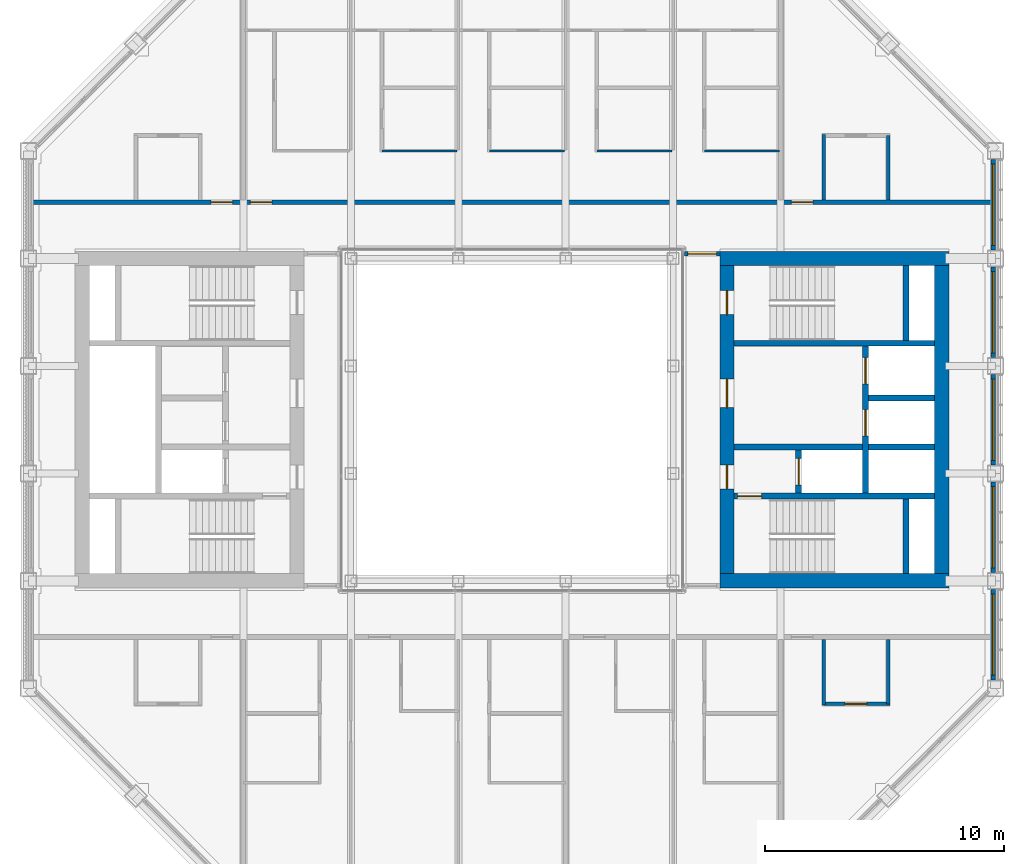
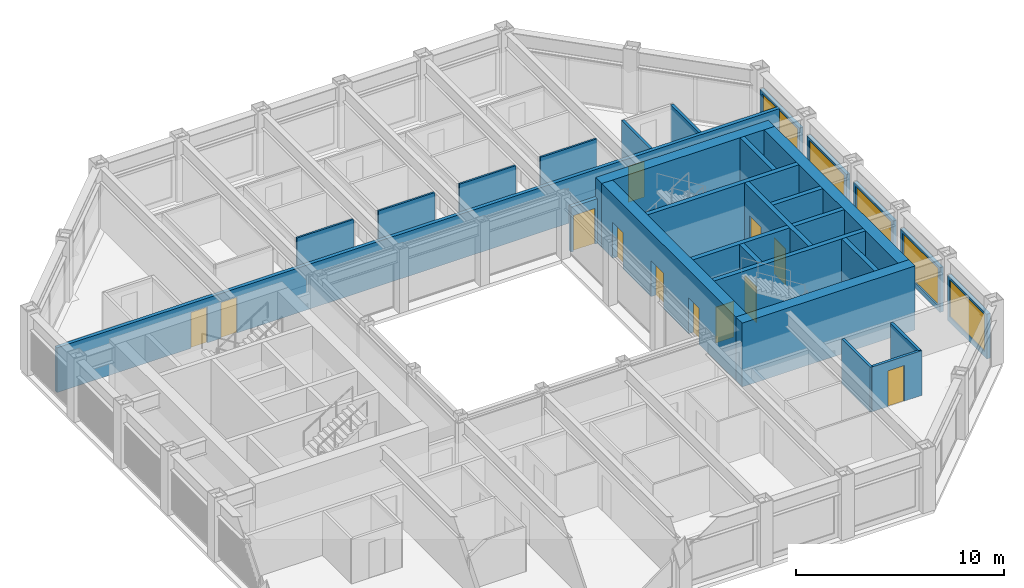
# One storey, part 11 of 18: 29 walls, 12 doors, 5 windows, 17 openings.
"""IFC4 building model written with IfcOpenShell, lengths in metres."""

from ifc_helpers import new_model, si_unit, direction, frame, frame_2d, origin, place, context, subcontext, project, spatial, rectangle, extrude, material, layer, layer_set, type_object, element, fill, save


model = new_model("IFC4")

# Units and contexts
model_context = context("Model", 3, precision=1e-05, world=origin(), true_north=direction((0.0, 1.0)))
body_context = subcontext(model_context, "Body", "Model", "MODEL_VIEW")
ifc_project = project(units=[si_unit("LENGTHUNIT", "METRE"), si_unit("AREAUNIT", "SQUARE_METRE"), si_unit("VOLUMEUNIT", "CUBIC_METRE"), si_unit("PLANEANGLEUNIT", "RADIAN"), si_unit("MASSUNIT", "GRAM", prefix="KILO")], contexts=[model_context])

# Site, building, storey
site_placement = place(None, origin())
site = spatial("IfcSite", under=ifc_project, at=site_placement, CompositionType="ELEMENT")
building_placement = place(site_placement, origin())
building = spatial("IfcBuilding", under=site, at=building_placement, Name="Msasa Ring Tower", CompositionType="ELEMENT")
storey_placement = place(building_placement, frame((0.0, 0.0, 249.550048828125)))
storey = spatial("IfcBuildingStorey", under=building, at=storey_placement, Name="L65", CompositionType="ELEMENT", Elevation=249.550048828125)

# Walls
ifc_material_1 = material(Name="Concrete C60/75", Category="concrete")
ifc_layer_1 = layer(ifc_material_1, 0.60009765625)
ifc_layer_set_1 = layer_set([ifc_layer_1], Name="CW3 CORE WALL 600")
wall_type_1 = type_object("IfcWallType", Name="CW3 CORE WALL 600", PredefinedType="SHEAR", material=ifc_layer_set_1)
for number, where, z_axis, x_axis, name in (
    (1, (8.699951171875, -6.75, 0.0), (0.0, 0.0, 1.0), (1.0, 0.0, 0.0), "E core wall S L65"),
    (2, (8.699951171875, 6.75, 0.0), (0.0, 0.0, 1.0), (1.0, 0.0, 0.0), "E core wall N L65"),
):
    element("IfcWall", number, at=place(storey_placement, frame(where, z_axis=z_axis, x_axis=x_axis)), inside=storey, type_object=wall_type_1, Name=name, PredefinedType="SHEAR", context=body_context, shape_type="SweptSolid", body=[
        extrude(rectangle(XDim=9.60009765625, YDim=0.60009765625, at=frame_2d((4.800048828125, 0.0))), origin(), (0.0, 0.0, 1.0), 3.75),
    ])

# Wall, openings, doors
wall_1_placement = place(storey_placement, frame((9.0, -6.449951171875, 0.0), z_axis=(0.0, 0.0, 1.0), x_axis=(0.0, 1.0, 0.0)))
wall_1 = element("IfcWall", 3, at=wall_1_placement, inside=storey, type_object=wall_type_1, Name="E core wall W L65", PredefinedType="SHEAR", context=body_context, shape_type="SweptSolid", body=[
    extrude(rectangle(XDim=12.89990234375, YDim=0.60009765625, at=frame_2d((6.449951171875, 0.0))), origin(), (0.0, 0.0, 1.0), 3.75),
])
opening_1_placement = place(wall_1_placement, frame((3.550048828125, 0.0, 0.0)))
opening_1 = element("IfcOpeningElement", 4, at=opening_1_placement, cuts=wall_1, Name="Opening SE-029", PredefinedType="OPENING", context=body_context, shape_type="SweptSolid", body=[
    extrude(rectangle(XDim=1.0, YDim=2.10009765625, at=frame_2d((0.5, 1.050048828125))), frame((0.0, 0.31005859375, 0.0), z_axis=(0.0, -1.0, 0.0), x_axis=(1.0, 0.0, 0.0)), (0.0, 0.0, 1.0), 0.6201171875),
])
opening_2_placement = place(wall_1_placement, frame((6.949951171875, 0.0, 0.0)))
opening_2 = element("IfcOpeningElement", 5, at=opening_2_placement, cuts=wall_1, Name="Opening SE-026", PredefinedType="OPENING", context=body_context, shape_type="SweptSolid", body=[
    extrude(rectangle(XDim=1.199951171875, YDim=2.10009765625, at=frame_2d((0.60009765625, 1.050048828125))), frame((0.0, 0.31005859375, 0.0), z_axis=(0.0, -1.0, 0.0), x_axis=(1.0, 0.0, 0.0)), (0.0, 0.0, 1.0), 0.6201171875),
])
opening_3_placement = place(wall_1_placement, frame((10.85009765625, 0.0, 0.0)))
opening_3 = element("IfcOpeningElement", 6, at=opening_3_placement, cuts=wall_1, Name="Opening SE-023", PredefinedType="OPENING", context=body_context, shape_type="SweptSolid", body=[
    extrude(rectangle(XDim=1.0, YDim=2.10009765625, at=frame_2d((0.5, 1.050048828125))), frame((0.0, 0.31005859375, 0.0), z_axis=(0.0, -1.0, 0.0), x_axis=(1.0, 0.0, 0.0)), (0.0, 0.0, 1.0), 0.6201171875),
])
ifc_material_2 = material(Name="Timber door leaf in a steel frame", Category="steel")
door_type_1 = type_object("IfcDoorType", Name="D4 LOBBY DOOR 1000x2100", OperationType="SINGLE_SWING_LEFT", PredefinedType="DOOR", material=ifc_material_2)
door_1_placement = place(opening_1_placement, origin())
door_1 = element("IfcDoor", 7, at=door_1_placement, inside=storey, type_object=door_type_1, Name="Door L65-EFFL", OperationType="SINGLE_SWING_LEFT", OverallHeight=2.10009765625, OverallWidth=1.0, PredefinedType="DOOR", context=body_context, shape_type="SweptSolid", body=[
    extrude(rectangle(XDim=1.0, YDim=2.10009765625, at=frame_2d((0.5, 1.050048828125))), frame((0.0, 0.02490234375, 0.0), z_axis=(0.0, -1.0, 0.0), x_axis=(1.0, 0.0, 0.0)), (0.0, 0.0, 1.0), 0.050048828125),
])
fill(opening_1, door_1)
ifc_material_3 = material(Name="Timber door leaf in a steel frame", Category="steel")
door_type_2 = type_object("IfcDoorType", Name="D5 WIDE LOBBY DOOR 1200x2100", OperationType="SINGLE_SWING_LEFT", PredefinedType="DOOR", material=ifc_material_3)
door_2_placement = place(opening_2_placement, origin())
door_2 = element("IfcDoor", 8, at=door_2_placement, inside=storey, type_object=door_type_2, Name="Door L65-ELL", OperationType="SINGLE_SWING_RIGHT", OverallHeight=2.10009765625, OverallWidth=1.199951171875, PredefinedType="DOOR", context=body_context, shape_type="SweptSolid", body=[
    extrude(rectangle(XDim=1.199951171875, YDim=2.10009765625, at=frame_2d((0.60009765625, 1.050048828125))), frame((0.0, 0.02490234375, 0.0), z_axis=(0.0, -1.0, 0.0), x_axis=(1.0, 0.0, 0.0)), (0.0, 0.0, 1.0), 0.050048828125),
])
fill(opening_2, door_2)
ifc_material_4 = material(Name="Timber door leaf in a steel frame", Category="steel")
door_type_3 = type_object("IfcDoorType", Name="D6 STAIR DOOR 1000x2100", OperationType="SINGLE_SWING_LEFT", PredefinedType="DOOR", material=ifc_material_4)
door_3_placement = place(opening_3_placement, origin())
door_3 = element("IfcDoor", 9, at=door_3_placement, inside=storey, type_object=door_type_3, Name="Door L65-ESTB", OperationType="SINGLE_SWING_RIGHT", OverallHeight=2.10009765625, OverallWidth=1.0, PredefinedType="DOOR", context=body_context, shape_type="SweptSolid", body=[
    extrude(rectangle(XDim=1.0, YDim=2.10009765625, at=frame_2d((0.5, 1.050048828125))), frame((0.0, 0.02490234375, 0.0), z_axis=(0.0, -1.0, 0.0), x_axis=(1.0, 0.0, 0.0)), (0.0, 0.0, 1.0), 0.050048828125),
])
fill(opening_3, door_3)

# Wall
wall_2_placement = place(storey_placement, frame((18.0, -6.449951171875, 0.0), z_axis=(0.0, 0.0, 1.0), x_axis=(0.0, 1.0, 0.0)))
element("IfcWall", 10, at=wall_2_placement, inside=storey, type_object=wall_type_1, Name="E core wall E L65", PredefinedType="SHEAR", context=body_context, shape_type="SweptSolid", body=[
    extrude(rectangle(XDim=12.89990234375, YDim=0.60009765625, at=frame_2d((6.449951171875, 0.0))), origin(), (0.0, 0.0, 1.0), 3.75),
])

# Wall, opening, door
ifc_material_5 = material(Name="Concrete C60/75", Category="concrete")
ifc_layer_2 = layer(ifc_material_5, 0.25)
ifc_layer_set_2 = layer_set([ifc_layer_2], Name="CW4 CORE INNER WALL 250")
wall_type_2 = type_object("IfcWallType", Name="CW4 CORE INNER WALL 250", PredefinedType="SHEAR", material=ifc_layer_set_2)
wall_3_placement = place(storey_placement, frame((9.300048828125, -3.199951171875, 0.0), z_axis=(0.0, 0.0, 1.0), x_axis=(1.0, 0.0, 0.0)))
wall_3 = element("IfcWall", 11, at=wall_3_placement, inside=storey, type_object=wall_type_2, Name="E core wall STAIRA L65", PredefinedType="SHEAR", context=body_context, shape_type="SweptSolid", body=[
    extrude(rectangle(XDim=8.39990234375, YDim=0.25, at=frame_2d((4.199951171875, 0.0))), origin(), (0.0, 0.0, 1.0), 3.75),
])
opening_4_placement = place(wall_3_placement, frame((0.14990234375, 0.0, 0.0)))
opening_4 = element("IfcOpeningElement", 12, at=opening_4_placement, cuts=wall_3, Name="Opening SE-031", PredefinedType="OPENING", context=body_context, shape_type="SweptSolid", body=[
    extrude(rectangle(XDim=1.0, YDim=2.10009765625, at=frame_2d((0.5, 1.050048828125))), frame((0.0, 0.135009765625, 0.0), z_axis=(0.0, -1.0, 0.0), x_axis=(1.0, 0.0, 0.0)), (0.0, 0.0, 1.0), 0.27001953125),
])
door_4_placement = place(opening_4_placement, origin())
door_4 = element("IfcDoor", 13, at=door_4_placement, inside=storey, type_object=door_type_3, Name="Door L65-ESTA", OperationType="SINGLE_SWING_LEFT", OverallHeight=2.10009765625, OverallWidth=1.0, PredefinedType="DOOR", context=body_context, shape_type="SweptSolid", body=[
    extrude(rectangle(XDim=1.0, YDim=2.10009765625, at=frame_2d((0.5, 1.050048828125))), frame((0.0, 0.02490234375, 0.0), z_axis=(0.0, -1.0, 0.0), x_axis=(1.0, 0.0, 0.0)), (0.0, 0.0, 1.0), 0.050048828125),
])
fill(opening_4, door_4)

# Walls
wall_4_placement = place(storey_placement, frame((9.300048828125, 3.199951171875, 0.0), z_axis=(0.0, 0.0, 1.0), x_axis=(1.0, 0.0, 0.0)))
element("IfcWall", 14, at=wall_4_placement, inside=storey, type_object=wall_type_2, Name="E core wall STAIRB L65", PredefinedType="SHEAR", context=body_context, shape_type="SweptSolid", body=[
    extrude(rectangle(XDim=8.39990234375, YDim=0.25, at=frame_2d((4.199951171875, 0.0))), origin(), (0.0, 0.0, 1.0), 3.75),
])
for number, where, z_axis, x_axis, name in (
    (15, (16.5, -6.449951171875, 0.0), (0.0, 0.0, 1.0), (0.0, 1.0, 0.0), "E core wall RISERA L65"),
    (16, (16.5, 3.324951171875, 0.0), (0.0, 0.0, 1.0), (0.0, 1.0, 0.0), "E core wall RISERB L65"),
):
    element("IfcWall", number, at=place(storey_placement, frame(where, z_axis=z_axis, x_axis=x_axis)), inside=storey, type_object=wall_type_2, Name=name, PredefinedType="SHEAR", context=body_context, shape_type="SweptSolid", body=[
        extrude(rectangle(XDim=3.125, YDim=0.25, at=frame_2d((1.5625, 0.0))), origin(), (0.0, 0.0, 1.0), 3.75),
    ])
wall_5_placement = place(storey_placement, frame((9.300048828125, -1.14990234375, 0.0), z_axis=(0.0, 0.0, 1.0), x_axis=(1.0, 0.0, 0.0)))
element("IfcWall", 17, at=wall_5_placement, inside=storey, type_object=wall_type_2, Name="E core wall FFL L65", PredefinedType="SHEAR", context=body_context, shape_type="SweptSolid", body=[
    extrude(rectangle(XDim=5.375, YDim=0.25, at=frame_2d((2.6875, 0.0))), origin(), (0.0, 0.0, 1.0), 3.75),
])

# Wall, opening, door
wall_6_placement = place(storey_placement, frame((12.0, -3.074951171875, 0.0), z_axis=(0.0, 0.0, 1.0), x_axis=(0.0, 1.0, 0.0)))
wall_6 = element("IfcWall", 18, at=wall_6_placement, inside=storey, type_object=wall_type_2, Name="E core wall LOBBY L65", PredefinedType="SHEAR", context=body_context, shape_type="SweptSolid", body=[
    extrude(rectangle(XDim=1.800048828125, YDim=0.25, at=frame_2d((0.89990234375, 0.0))), origin(), (0.0, 0.0, 1.0), 3.75),
])
opening_5_placement = place(wall_6_placement, frame((0.35009765625, 0.0, 0.0)))
opening_5 = element("IfcOpeningElement", 19, at=opening_5_placement, cuts=wall_6, Name="Opening LD1", PredefinedType="OPENING", context=body_context, shape_type="SweptSolid", body=[
    extrude(rectangle(XDim=1.10009765625, YDim=2.10009765625, at=frame_2d((0.550048828125, 1.050048828125))), frame((0.0, 0.135009765625, 0.0), z_axis=(0.0, -1.0, 0.0), x_axis=(1.0, 0.0, 0.0)), (0.0, 0.0, 1.0), 0.27001953125),
])
ifc_material_6 = material(Name="Stainless steel lift landing door", Category="steel")
door_type_4 = type_object("IfcDoorType", Name="LD1 LIFT LANDING DOOR 1100x2100", OperationType="DOUBLE_DOOR_SLIDING", PredefinedType="DOOR", material=ifc_material_6)
door_5_placement = place(opening_5_placement, origin())
door_5 = element("IfcDoor", 20, at=door_5_placement, inside=storey, type_object=door_type_4, Name="Lift landing door FL-E L65", OperationType="DOUBLE_DOOR_SLIDING", OverallHeight=2.10009765625, OverallWidth=1.10009765625, PredefinedType="DOOR", context=body_context, shape_type="SweptSolid", body=[
    extrude(rectangle(XDim=1.10009765625, YDim=2.10009765625, at=frame_2d((0.550048828125, 1.050048828125))), frame((0.0, 0.02490234375, 0.0), z_axis=(0.0, -1.0, 0.0), x_axis=(1.0, 0.0, 0.0)), (0.0, 0.0, 1.0), 0.050048828125),
])
fill(opening_5, door_5)

# Wall, openings, doors
wall_7_placement = place(storey_placement, frame((14.800048828125, -3.074951171875, 0.0), z_axis=(0.0, 0.0, 1.0), x_axis=(0.0, 1.0, 0.0)))
wall_7 = element("IfcWall", 21, at=wall_7_placement, inside=storey, type_object=wall_type_2, Name="E core wall SHAFT L65", PredefinedType="SHEAR", context=body_context, shape_type="SweptSolid", body=[
    extrude(rectangle(XDim=6.14990234375, YDim=0.25, at=frame_2d((3.074951171875, 0.0))), origin(), (0.0, 0.0, 1.0), 3.75),
])
opening_6_placement = place(wall_7_placement, frame((2.39990234375, 0.0, 0.0)))
opening_6 = element("IfcOpeningElement", 22, at=opening_6_placement, cuts=wall_7, Name="Opening LD1", PredefinedType="OPENING", context=body_context, shape_type="SweptSolid", body=[
    extrude(rectangle(XDim=1.10009765625, YDim=2.10009765625, at=frame_2d((0.550048828125, 1.050048828125))), frame((0.0, 0.135009765625, 0.0), z_axis=(0.0, -1.0, 0.0), x_axis=(1.0, 0.0, 0.0)), (0.0, 0.0, 1.0), 0.27001953125),
])
opening_7_placement = place(wall_7_placement, frame((4.574951171875, 0.0, 0.0)))
opening_7 = element("IfcOpeningElement", 23, at=opening_7_placement, cuts=wall_7, Name="Opening LD1", PredefinedType="OPENING", context=body_context, shape_type="SweptSolid", body=[
    extrude(rectangle(XDim=1.10009765625, YDim=2.10009765625, at=frame_2d((0.550048828125, 1.050048828125))), frame((0.0, 0.135009765625, 0.0), z_axis=(0.0, -1.0, 0.0), x_axis=(1.0, 0.0, 0.0)), (0.0, 0.0, 1.0), 0.27001953125),
])
door_6_placement = place(opening_6_placement, origin())
door_6 = element("IfcDoor", 24, at=door_6_placement, inside=storey, type_object=door_type_4, Name="Lift landing door PL-H1 L65", OperationType="DOUBLE_DOOR_SLIDING", OverallHeight=2.10009765625, OverallWidth=1.10009765625, PredefinedType="DOOR", context=body_context, shape_type="SweptSolid", body=[
    extrude(rectangle(XDim=1.10009765625, YDim=2.10009765625, at=frame_2d((0.550048828125, 1.050048828125))), frame((0.0, 0.02490234375, 0.0), z_axis=(0.0, -1.0, 0.0), x_axis=(1.0, 0.0, 0.0)), (0.0, 0.0, 1.0), 0.050048828125),
])
fill(opening_6, door_6)
door_7_placement = place(opening_7_placement, origin())
door_7 = element("IfcDoor", 25, at=door_7_placement, inside=storey, type_object=door_type_4, Name="Lift landing door PL-H2 L65", OperationType="DOUBLE_DOOR_SLIDING", OverallHeight=2.10009765625, OverallWidth=1.10009765625, PredefinedType="DOOR", context=body_context, shape_type="SweptSolid", body=[
    extrude(rectangle(XDim=1.10009765625, YDim=2.10009765625, at=frame_2d((0.550048828125, 1.050048828125))), frame((0.0, 0.02490234375, 0.0), z_axis=(0.0, -1.0, 0.0), x_axis=(1.0, 0.0, 0.0)), (0.0, 0.0, 1.0), 0.050048828125),
])
fill(opening_7, door_7)

# Walls
for number, where, z_axis, x_axis, name in (
    (26, (14.925048828125, -1.14990234375, 0.0), (0.0, 0.0, 1.0), (1.0, 0.0, 0.0), "E core wall HSEP L65"),
    (27, (14.925048828125, 0.89990234375, 0.0), (0.0, 0.0, 1.0), (1.0, 0.0, 0.0), "E core wall HLIFT L65"),
):
    element("IfcWall", number, at=place(storey_placement, frame(where, z_axis=z_axis, x_axis=x_axis)), inside=storey, type_object=wall_type_2, Name=name, PredefinedType="SHEAR", context=body_context, shape_type="SweptSolid", body=[
        extrude(rectangle(XDim=2.77490234375, YDim=0.25, at=frame_2d((1.387451171875, 0.0))), origin(), (0.0, 0.0, 1.0), 3.75),
    ])

# Wall, opening, window
ifc_material_7 = material(Name="Terracotta rainscreen on blockwork", Category="masonry")
ifc_layer_3 = layer(ifc_material_7, 0.199951171875)
ifc_layer_set_3 = layer_set([ifc_layer_3], Name="FW1 TERRACOTTA-LINED INFILL BAY WALL 200")
wall_type_3 = type_object("IfcWallType", Name="FW1 TERRACOTTA-LINED INFILL BAY WALL 200", PredefinedType="SOLIDWALL", material=ifc_layer_set_3)
wall_8_placement = place(storey_placement, frame((20.14990234375, -10.89501953125, 0.0), z_axis=(0.0, 0.0, 1.0), x_axis=(0.0, 1.0, 0.0)))
wall_8 = element("IfcWall", 28, at=wall_8_placement, inside=storey, type_object=wall_type_3, Name="Infill bay wall E L65 07", PredefinedType="SOLIDWALL", context=body_context, shape_type="SweptSolid", body=[
    extrude(rectangle(XDim=3.7900390625, YDim=0.199951171875, at=frame_2d((1.89501953125, 0.0))), origin(), (0.0, 0.0, 1.0), 2.62890625),
])
opening_8_placement = place(wall_8_placement, frame((0.195068359375, 0.0, 0.300048828125)))
opening_8 = element("IfcOpeningElement", 29, at=opening_8_placement, cuts=wall_8, Name="Opening WN3", PredefinedType="OPENING", context=body_context, shape_type="SweptSolid", body=[
    extrude(rectangle(XDim=3.39990234375, YDim=2.178955078125, at=frame_2d((1.699951171875, 1.08935546875))), frame((0.0, 0.10986328125, 0.0), z_axis=(0.0, -1.0, 0.0), x_axis=(1.0, 0.0, 0.0)), (0.0, 0.0, 1.0), 0.219970703125),
])
ifc_material_8 = material(Name="Aluminium frame with clear glass", Category="aluminium")
window_type = type_object("IfcWindowType", Name="WN3 SUITE WINDOW 3400x2179", PartitioningType="SINGLE_PANEL", PredefinedType="WINDOW", material=ifc_material_8)
window_1_placement = place(opening_8_placement, origin())
window_1 = element("IfcWindow", 30, at=window_1_placement, inside=storey, type_object=window_type, Name="Window E L65 07", OverallHeight=2.178955078125, OverallWidth=3.39990234375, PartitioningType="SINGLE_PANEL", PredefinedType="WINDOW", context=body_context, shape_type="SweptSolid", body=[
    extrude(rectangle(XDim=3.39990234375, YDim=2.178955078125, at=frame_2d((1.699951171875, 1.08935546875))), frame((0.0, 0.030029296875, 0.0), z_axis=(0.0, -1.0, 0.0), x_axis=(1.0, 0.0, 0.0)), (0.0, 0.0, 1.0), 0.06005859375),
])
fill(opening_8, window_1)

wall_9_placement = place(storey_placement, frame((20.14990234375, -6.39501953125, 0.0), z_axis=(0.0, 0.0, 1.0), x_axis=(0.0, 1.0, 0.0)))
wall_9 = element("IfcWall", 31, at=wall_9_placement, inside=storey, type_object=wall_type_3, Name="Infill bay wall E L65 08", PredefinedType="SOLIDWALL", context=body_context, shape_type="SweptSolid", body=[
    extrude(rectangle(XDim=3.7900390625, YDim=0.199951171875, at=frame_2d((1.89501953125, 0.0))), origin(), (0.0, 0.0, 1.0), 2.62890625),
])
opening_9_placement = place(wall_9_placement, frame((0.195068359375, 0.0, 0.300048828125)))
opening_9 = element("IfcOpeningElement", 32, at=opening_9_placement, cuts=wall_9, Name="Opening WN3", PredefinedType="OPENING", context=body_context, shape_type="SweptSolid", body=[
    extrude(rectangle(XDim=3.39990234375, YDim=2.178955078125, at=frame_2d((1.699951171875, 1.08935546875))), frame((0.0, 0.10986328125, 0.0), z_axis=(0.0, -1.0, 0.0), x_axis=(1.0, 0.0, 0.0)), (0.0, 0.0, 1.0), 0.219970703125),
])
window_2_placement = place(opening_9_placement, origin())
window_2 = element("IfcWindow", 33, at=window_2_placement, inside=storey, type_object=window_type, Name="Window E L65 08", OverallHeight=2.178955078125, OverallWidth=3.39990234375, PartitioningType="SINGLE_PANEL", PredefinedType="WINDOW", context=body_context, shape_type="SweptSolid", body=[
    extrude(rectangle(XDim=3.39990234375, YDim=2.178955078125, at=frame_2d((1.699951171875, 1.08935546875))), frame((0.0, 0.030029296875, 0.0), z_axis=(0.0, -1.0, 0.0), x_axis=(1.0, 0.0, 0.0)), (0.0, 0.0, 1.0), 0.06005859375),
])
fill(opening_9, window_2)

wall_10_placement = place(storey_placement, frame((20.14990234375, -1.89501953125, 0.0), z_axis=(0.0, 0.0, 1.0), x_axis=(0.0, 1.0, 0.0)))
wall_10 = element("IfcWall", 34, at=wall_10_placement, inside=storey, type_object=wall_type_3, Name="Infill bay wall E L65 09", PredefinedType="SOLIDWALL", context=body_context, shape_type="SweptSolid", body=[
    extrude(rectangle(XDim=3.7900390625, YDim=0.199951171875, at=frame_2d((1.89501953125, 0.0))), origin(), (0.0, 0.0, 1.0), 2.62890625),
])
opening_10_placement = place(wall_10_placement, frame((0.195068359375, 0.0, 0.300048828125)))
opening_10 = element("IfcOpeningElement", 35, at=opening_10_placement, cuts=wall_10, Name="Opening WN3", PredefinedType="OPENING", context=body_context, shape_type="SweptSolid", body=[
    extrude(rectangle(XDim=3.39990234375, YDim=2.178955078125, at=frame_2d((1.699951171875, 1.08935546875))), frame((0.0, 0.10986328125, 0.0), z_axis=(0.0, -1.0, 0.0), x_axis=(1.0, 0.0, 0.0)), (0.0, 0.0, 1.0), 0.219970703125),
])
window_3_placement = place(opening_10_placement, origin())
window_3 = element("IfcWindow", 36, at=window_3_placement, inside=storey, type_object=window_type, Name="Window E L65 09", OverallHeight=2.178955078125, OverallWidth=3.39990234375, PartitioningType="SINGLE_PANEL", PredefinedType="WINDOW", context=body_context, shape_type="SweptSolid", body=[
    extrude(rectangle(XDim=3.39990234375, YDim=2.178955078125, at=frame_2d((1.699951171875, 1.08935546875))), frame((0.0, 0.030029296875, 0.0), z_axis=(0.0, -1.0, 0.0), x_axis=(1.0, 0.0, 0.0)), (0.0, 0.0, 1.0), 0.06005859375),
])
fill(opening_10, window_3)

wall_11_placement = place(storey_placement, frame((20.14990234375, 2.60498046875, 0.0), z_axis=(0.0, 0.0, 1.0), x_axis=(0.0, 1.0, 0.0)))
wall_11 = element("IfcWall", 37, at=wall_11_placement, inside=storey, type_object=wall_type_3, Name="Infill bay wall E L65 10", PredefinedType="SOLIDWALL", context=body_context, shape_type="SweptSolid", body=[
    extrude(rectangle(XDim=3.7900390625, YDim=0.199951171875, at=frame_2d((1.89501953125, 0.0))), origin(), (0.0, 0.0, 1.0), 2.62890625),
])
opening_11_placement = place(wall_11_placement, frame((0.195068359375, 0.0, 0.300048828125)))
opening_11 = element("IfcOpeningElement", 38, at=opening_11_placement, cuts=wall_11, Name="Opening WN3", PredefinedType="OPENING", context=body_context, shape_type="SweptSolid", body=[
    extrude(rectangle(XDim=3.39990234375, YDim=2.178955078125, at=frame_2d((1.699951171875, 1.08935546875))), frame((0.0, 0.10986328125, 0.0), z_axis=(0.0, -1.0, 0.0), x_axis=(1.0, 0.0, 0.0)), (0.0, 0.0, 1.0), 0.219970703125),
])
window_4_placement = place(opening_11_placement, origin())
window_4 = element("IfcWindow", 39, at=window_4_placement, inside=storey, type_object=window_type, Name="Window E L65 10", OverallHeight=2.178955078125, OverallWidth=3.39990234375, PartitioningType="SINGLE_PANEL", PredefinedType="WINDOW", context=body_context, shape_type="SweptSolid", body=[
    extrude(rectangle(XDim=3.39990234375, YDim=2.178955078125, at=frame_2d((1.699951171875, 1.08935546875))), frame((0.0, 0.030029296875, 0.0), z_axis=(0.0, -1.0, 0.0), x_axis=(1.0, 0.0, 0.0)), (0.0, 0.0, 1.0), 0.06005859375),
])
fill(opening_11, window_4)

wall_12_placement = place(storey_placement, frame((20.14990234375, 7.10498046875, 0.0), z_axis=(0.0, 0.0, 1.0), x_axis=(0.0, 1.0, 0.0)))
wall_12 = element("IfcWall", 40, at=wall_12_placement, inside=storey, type_object=wall_type_3, Name="Infill bay wall E L65 11", PredefinedType="SOLIDWALL", context=body_context, shape_type="SweptSolid", body=[
    extrude(rectangle(XDim=3.7900390625, YDim=0.199951171875, at=frame_2d((1.89501953125, 0.0))), origin(), (0.0, 0.0, 1.0), 2.62890625),
])
opening_12_placement = place(wall_12_placement, frame((0.195068359375, 0.0, 0.300048828125)))
opening_12 = element("IfcOpeningElement", 41, at=opening_12_placement, cuts=wall_12, Name="Opening WN3", PredefinedType="OPENING", context=body_context, shape_type="SweptSolid", body=[
    extrude(rectangle(XDim=3.39990234375, YDim=2.178955078125, at=frame_2d((1.699951171875, 1.08935546875))), frame((0.0, 0.10986328125, 0.0), z_axis=(0.0, -1.0, 0.0), x_axis=(1.0, 0.0, 0.0)), (0.0, 0.0, 1.0), 0.219970703125),
])
window_5_placement = place(opening_12_placement, origin())
window_5 = element("IfcWindow", 42, at=window_5_placement, inside=storey, type_object=window_type, Name="Window E L65 11", OverallHeight=2.178955078125, OverallWidth=3.39990234375, PartitioningType="SINGLE_PANEL", PredefinedType="WINDOW", context=body_context, shape_type="SweptSolid", body=[
    extrude(rectangle(XDim=3.39990234375, YDim=2.178955078125, at=frame_2d((1.699951171875, 1.08935546875))), frame((0.0, 0.030029296875, 0.0), z_axis=(0.0, -1.0, 0.0), x_axis=(1.0, 0.0, 0.0)), (0.0, 0.0, 1.0), 0.06005859375),
])
fill(opening_12, window_5)

# Wall, opening, door
ifc_material_9 = material(Name="Concrete blockwork", Category="masonry")
ifc_layer_4 = layer(ifc_material_9, 0.199951171875)
ifc_layer_set_4 = layer_set([ifc_layer_4], Name="PT1 CORRIDOR WALL 200")
wall_type_4 = type_object("IfcWallType", Name="PT1 CORRIDOR WALL 200", PredefinedType="PARTITIONING", material=ifc_layer_set_4)
wall_13_placement = place(storey_placement, frame((7.22998046875, 6.949951171875, 0.0), z_axis=(0.0, 0.0, 1.0), x_axis=(1.0, 0.0, 0.0)))
wall_13 = element("IfcWall", 43, at=wall_13_placement, inside=storey, type_object=wall_type_4, Name="Corridor wall L65-SDEN", PredefinedType="PARTITIONING", context=body_context, shape_type="SweptSolid", body=[
    extrude(rectangle(XDim=1.469970703125, YDim=0.199951171875, at=frame_2d((0.73486328125, 0.0))), origin(), (0.0, 0.0, 1.0), 2.62890625),
])
opening_13_placement = place(wall_13_placement, frame((0.135009765625, 0.0, 0.0)))
opening_13 = element("IfcOpeningElement", 44, at=opening_13_placement, cuts=wall_13, Name="Opening SE-021", PredefinedType="OPENING", context=body_context, shape_type="SweptSolid", body=[
    extrude(rectangle(XDim=1.199951171875, YDim=2.10009765625, at=frame_2d((0.60009765625, 1.050048828125))), frame((0.0, 0.10986328125, 0.0), z_axis=(0.0, -1.0, 0.0), x_axis=(1.0, 0.0, 0.0)), (0.0, 0.0, 1.0), 0.219970703125),
])
ifc_material_10 = material(Name="Timber door leaf in a steel frame", Category="steel")
door_type_5 = type_object("IfcDoorType", Name="D25 CORRIDOR PAIR OF SMOKE DOORS 1200x2100", OperationType="DOUBLE_DOOR_DOUBLE_SWING", PredefinedType="DOOR", material=ifc_material_10)
door_8_placement = place(opening_13_placement, origin())
door_8 = element("IfcDoor", 45, at=door_8_placement, inside=storey, type_object=door_type_5, Name="Door L65-SDEN", OperationType="DOUBLE_DOOR_DOUBLE_SWING", OverallHeight=2.10009765625, OverallWidth=1.199951171875, PredefinedType="DOOR", context=body_context, shape_type="SweptSolid", body=[
    extrude(rectangle(XDim=1.199951171875, YDim=2.10009765625, at=frame_2d((0.60009765625, 1.050048828125))), frame((0.0, 0.02490234375, 0.0), z_axis=(0.0, -1.0, 0.0), x_axis=(1.0, 0.0, 0.0)), (0.0, 0.0, 1.0), 0.050048828125),
])
fill(opening_13, door_8)

# Wall, openings, doors
wall_14_placement = place(storey_placement, frame((-20.050048828125, 9.10009765625, 0.0), z_axis=(0.0, 0.0, 1.0), x_axis=(1.0, 0.0, 0.0)))
wall_14 = element("IfcWall", 46, at=wall_14_placement, inside=storey, type_object=wall_type_4, Name="Corridor wall L65-CORRN0", PredefinedType="PARTITIONING", context=body_context, shape_type="SweptSolid", body=[
    extrude(rectangle(XDim=40.10009765625, YDim=0.199951171875, at=frame_2d((20.050048828125, 0.0))), origin(), (0.0, 0.0, 1.0), 2.62890625),
])
opening_14_placement = place(wall_14_placement, frame((9.10009765625, 0.0, 0.0)))
opening_14 = element("IfcOpeningElement", 47, at=opening_14_placement, cuts=wall_14, Name="Opening SE-018", PredefinedType="OPENING", context=body_context, shape_type="SweptSolid", body=[
    extrude(rectangle(XDim=0.89990234375, YDim=2.10009765625, at=frame_2d((0.449951171875, 1.050048828125))), frame((0.0, 0.10986328125, 0.0), z_axis=(0.0, -1.0, 0.0), x_axis=(1.0, 0.0, 0.0)), (0.0, 0.0, 1.0), 0.219970703125),
])
opening_15_placement = place(wall_14_placement, frame((31.75, 0.0, 0.0)))
opening_15 = element("IfcOpeningElement", 48, at=opening_15_placement, cuts=wall_14, Name="Opening SE-019", PredefinedType="OPENING", context=body_context, shape_type="SweptSolid", body=[
    extrude(rectangle(XDim=0.89990234375, YDim=2.10009765625, at=frame_2d((0.449951171875, 1.050048828125))), frame((0.0, 0.10986328125, 0.0), z_axis=(0.0, -1.0, 0.0), x_axis=(1.0, 0.0, 0.0)), (0.0, 0.0, 1.0), 0.219970703125),
])
opening_16_placement = place(wall_14_placement, frame((7.449951171875, 0.0, 0.0)))
opening_16 = element("IfcOpeningElement", 49, at=opening_16_placement, cuts=wall_14, Name="Opening SE-017", PredefinedType="OPENING", context=body_context, shape_type="SweptSolid", body=[
    extrude(rectangle(XDim=0.89990234375, YDim=2.10009765625, at=frame_2d((0.449951171875, 1.050048828125))), frame((0.0, 0.10986328125, 0.0), z_axis=(0.0, -1.0, 0.0), x_axis=(1.0, 0.0, 0.0)), (0.0, 0.0, 1.0), 0.219970703125),
])
ifc_material_11 = material(Name="Timber door leaf in a steel frame", Category="steel")
door_type_6 = type_object("IfcDoorType", Name="D2 ENTRANCE DOOR 900x2100", OperationType="SINGLE_SWING_LEFT", PredefinedType="DOOR", material=ifc_material_11)
door_9_placement = place(opening_14_placement, origin())
door_9 = element("IfcDoor", 50, at=door_9_placement, inside=storey, type_object=door_type_6, Name="Door L65-JN00", OperationType="SINGLE_SWING_LEFT", OverallHeight=2.10009765625, OverallWidth=0.89990234375, PredefinedType="DOOR", context=body_context, shape_type="SweptSolid", body=[
    extrude(rectangle(XDim=0.89990234375, YDim=2.10009765625, at=frame_2d((0.449951171875, 1.050048828125))), frame((0.0, 0.02490234375, 0.0), z_axis=(0.0, -1.0, 0.0), x_axis=(1.0, 0.0, 0.0)), (0.0, 0.0, 1.0), 0.050048828125),
])
fill(opening_14, door_9)
door_10_placement = place(opening_15_placement, origin())
door_10 = element("IfcDoor", 51, at=door_10_placement, inside=storey, type_object=door_type_6, Name="Door L65-CSNE", OperationType="SINGLE_SWING_RIGHT", OverallHeight=2.10009765625, OverallWidth=0.89990234375, PredefinedType="DOOR", context=body_context, shape_type="SweptSolid", body=[
    extrude(rectangle(XDim=0.89990234375, YDim=2.10009765625, at=frame_2d((0.449951171875, 1.050048828125))), frame((0.0, 0.02490234375, 0.0), z_axis=(0.0, -1.0, 0.0), x_axis=(1.0, 0.0, 0.0)), (0.0, 0.0, 1.0), 0.050048828125),
])
fill(opening_15, door_10)
door_11_placement = place(opening_16_placement, origin())
door_11 = element("IfcDoor", 52, at=door_11_placement, inside=storey, type_object=door_type_6, Name="Door L65-CSNW", OperationType="SINGLE_SWING_LEFT", OverallHeight=2.10009765625, OverallWidth=0.89990234375, PredefinedType="DOOR", context=body_context, shape_type="SweptSolid", body=[
    extrude(rectangle(XDim=0.89990234375, YDim=2.10009765625, at=frame_2d((0.449951171875, 1.050048828125))), frame((0.0, 0.02490234375, 0.0), z_axis=(0.0, -1.0, 0.0), x_axis=(1.0, 0.0, 0.0)), (0.0, 0.0, 1.0), 0.050048828125),
])
fill(opening_16, door_11)

# Walls
ifc_material_12 = material(Name="Gypsum board on steel studs", Category="steel")
ifc_layer_5 = layer(ifc_material_12, 0.10009765625)
ifc_layer_set_5 = layer_set([ifc_layer_5], Name="PT2 STUD PARTITION 100")
wall_type_5 = type_object("IfcWallType", Name="PT2 STUD PARTITION 100", PredefinedType="PARTITIONING", material=ifc_layer_set_5)
for number, where, z_axis, x_axis, name in (
    (53, (-5.449951171875, 11.25, 0.0), (0.0, 0.0, 1.0), (1.0, 0.0, 0.0), "Partition L65-JN00HY1"),
    (54, (-0.949951171875, 11.25, 0.0), (0.0, 0.0, 1.0), (1.0, 0.0, 0.0), "Partition L65-JN00HY2"),
    (55, (3.550048828125, 11.25, 0.0), (0.0, 0.0, 1.0), (1.0, 0.0, 0.0), "Partition L65-JN00HY3"),
    (56, (8.050048828125, 11.25, 0.0), (0.0, 0.0, 1.0), (1.0, 0.0, 0.0), "Partition L65-JN00HY4"),
):
    element("IfcWall", number, at=place(storey_placement, frame(where, z_axis=z_axis, x_axis=x_axis)), inside=storey, type_object=wall_type_5, Name=name, PredefinedType="PARTITIONING", context=body_context, shape_type="SweptSolid", body=[
        extrude(rectangle(XDim=3.139892578125, YDim=0.10009765625, at=frame_2d((1.56982421875, 0.0))), origin(), (0.0, 0.0, 1.0), 2.62890625),
    ])
ifc_material_13 = material(Name="Moisture-resistant board on steel studs with a concealed cistern and pipe void, tiled", Category="steel")
ifc_layer_6 = layer(ifc_material_13, 0.14990234375)
ifc_layer_set_6 = layer_set([ifc_layer_6], Name="PT4 BATHROOM WET WALL 150")
wall_type_6 = type_object("IfcWallType", Name="PT4 BATHROOM WET WALL 150", PredefinedType="PARTITIONING", material=ifc_layer_set_6)
wall_15_placement = place(storey_placement, frame((13.050048828125, 9.199951171875, 0.0), z_axis=(0.0, 0.0, 1.0), x_axis=(0.0, 1.0, 0.0)))
element("IfcWall", 57, at=wall_15_placement, inside=storey, type_object=wall_type_6, Name="Partition L65-CSNEBX", PredefinedType="PARTITIONING", context=body_context, shape_type="SweptSolid", body=[
    extrude(rectangle(XDim=2.75, YDim=0.14990234375, at=frame_2d((1.375, 0.0))), origin(), (0.0, 0.0, 1.0), 2.62890625),
])
wall_16_placement = place(storey_placement, frame((15.75, 9.199951171875, 0.0), z_axis=(0.0, 0.0, 1.0), x_axis=(0.0, 1.0, 0.0)))
element("IfcWall", 58, at=wall_16_placement, inside=storey, type_object=wall_type_6, Name="Partition L65-CSNEBE", PredefinedType="PARTITIONING", context=body_context, shape_type="SweptSolid", body=[
    extrude(rectangle(XDim=2.699951171875, YDim=0.14990234375, at=frame_2d((1.35009765625, 0.0))), origin(), (0.0, 0.0, 1.0), 2.62890625),
])
wall_17_placement = place(storey_placement, frame((13.050048828125, -11.949951171875, 0.0), z_axis=(0.0, 0.0, 1.0), x_axis=(0.0, 1.0, 0.0)))
element("IfcWall", 59, at=wall_17_placement, inside=storey, type_object=wall_type_6, Name="Partition L65-CSSEBX", PredefinedType="PARTITIONING", context=body_context, shape_type="SweptSolid", body=[
    extrude(rectangle(XDim=2.75, YDim=0.14990234375, at=frame_2d((1.375, 0.0))), origin(), (0.0, 0.0, 1.0), 2.62890625),
])

# Wall, opening, door
wall_18_placement = place(storey_placement, frame((13.050048828125, -11.89990234375, 0.0), z_axis=(0.0, 0.0, 1.0), x_axis=(1.0, 0.0, 0.0)))
wall_18 = element("IfcWall", 60, at=wall_18_placement, inside=storey, type_object=wall_type_6, Name="Partition L65-CSSEBY", PredefinedType="PARTITIONING", context=body_context, shape_type="SweptSolid", body=[
    extrude(rectangle(XDim=2.77490234375, YDim=0.14990234375, at=frame_2d((1.387451171875, 0.0))), origin(), (0.0, 0.0, 1.0), 2.62890625),
])
opening_17_placement = place(wall_18_placement, frame((0.89990234375, 0.0, 0.0)))
opening_17 = element("IfcOpeningElement", 61, at=opening_17_placement, cuts=wall_18, Name="Opening SE-044", PredefinedType="OPENING", context=body_context, shape_type="SweptSolid", body=[
    extrude(rectangle(XDim=0.89990234375, YDim=2.10009765625, at=frame_2d((0.449951171875, 1.050048828125))), frame((0.0, 0.0849609375, 0.0), z_axis=(0.0, -1.0, 0.0), x_axis=(1.0, 0.0, 0.0)), (0.0, 0.0, 1.0), 0.169921875),
])
ifc_material_14 = material(Name="Timber door leaf in a steel frame", Category="steel")
door_type_7 = type_object("IfcDoorType", Name="D3 BATHROOM DOOR 900x2100", OperationType="SINGLE_SWING_LEFT", PredefinedType="DOOR", material=ifc_material_14)
door_12_placement = place(opening_17_placement, origin())
door_12 = element("IfcDoor", 62, at=door_12_placement, inside=storey, type_object=door_type_7, Name="Door L65-CSSEB1", OperationType="SINGLE_SWING_LEFT", OverallHeight=2.10009765625, OverallWidth=0.89990234375, PredefinedType="DOOR", context=body_context, shape_type="SweptSolid", body=[
    extrude(rectangle(XDim=0.89990234375, YDim=2.10009765625, at=frame_2d((0.449951171875, 1.050048828125))), frame((0.0, 0.02490234375, 0.0), z_axis=(0.0, -1.0, 0.0), x_axis=(1.0, 0.0, 0.0)), (0.0, 0.0, 1.0), 0.050048828125),
])
fill(opening_17, door_12)

# Wall
wall_19_placement = place(storey_placement, frame((15.75, -11.89990234375, 0.0), z_axis=(0.0, 0.0, 1.0), x_axis=(0.0, 1.0, 0.0)))
element("IfcWall", 63, at=wall_19_placement, inside=storey, type_object=wall_type_6, Name="Partition L65-CSSEBE", PredefinedType="PARTITIONING", context=body_context, shape_type="SweptSolid", body=[
    extrude(rectangle(XDim=2.699951171875, YDim=0.14990234375, at=frame_2d((1.35009765625, 0.0))), origin(), (0.0, 0.0, 1.0), 2.62890625),
])

save(model, "model.ifc")
